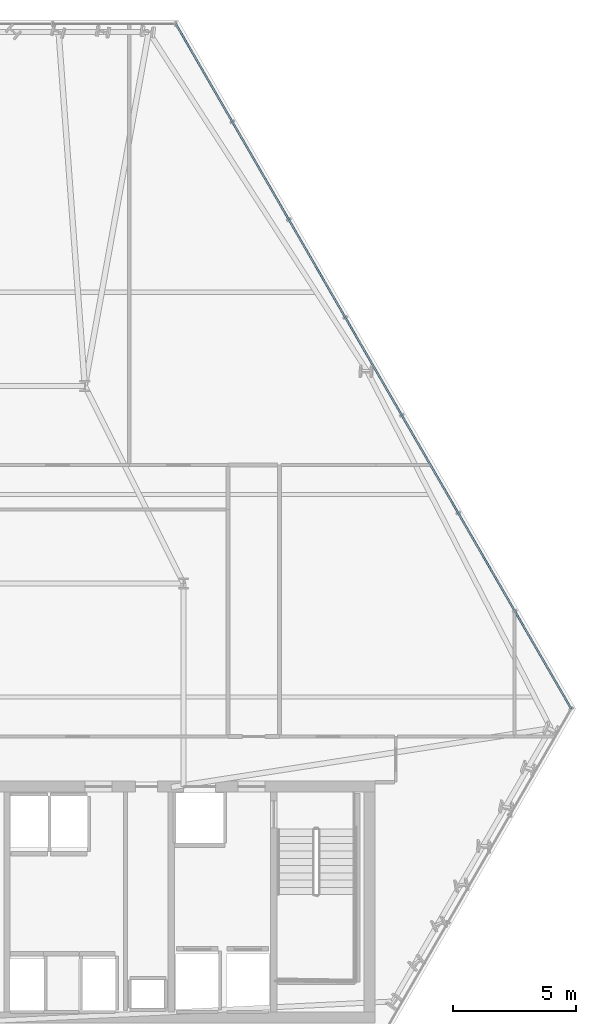
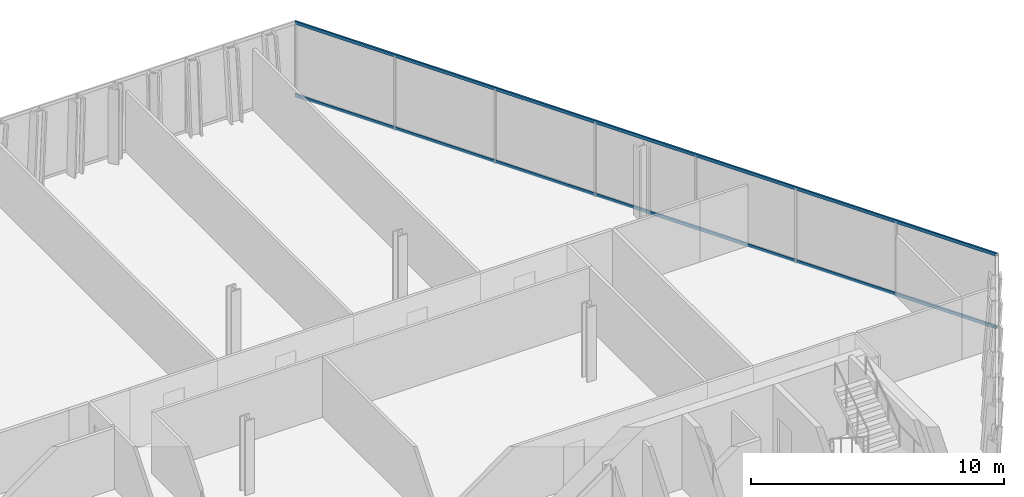
# One storey, part 20 of 32: 2 members, 1 element without a shape of its own.
"""IFC4 building model written with IfcOpenShell, lengths in metres."""

from ifc_helpers import new_model, si_unit, direction, frame, origin, origin_2d, place, context, subcontext, project, spatial, hollow_rectangle, extrude, material, layer, layer_set, material_profile, profile_set, type_object, element, aggregate, save


model = new_model("IFC4")

# Units and contexts
model_context = context("Model", 3, precision=1e-05, world=origin(), true_north=direction((0.0, 1.0)))
body_context = subcontext(model_context, "Body", "Model", "MODEL_VIEW")
ifc_project = project(units=[si_unit("LENGTHUNIT", "METRE"), si_unit("AREAUNIT", "SQUARE_METRE"), si_unit("VOLUMEUNIT", "CUBIC_METRE"), si_unit("PLANEANGLEUNIT", "RADIAN"), si_unit("MASSUNIT", "GRAM", prefix="KILO")], contexts=[model_context])

# Site, building, storey
site_placement = place(None, origin())
site = spatial("IfcSite", under=ifc_project, at=site_placement, CompositionType="ELEMENT")
building_placement = place(site_placement, origin())
building = spatial("IfcBuilding", under=site, at=building_placement, Name="Ndaravel Arena Tower", CompositionType="ELEMENT")
storey_placement = place(building_placement, frame((0.0, 0.0, 77.800048828125)))
storey = spatial("IfcBuildingStorey", under=building, at=storey_placement, Name="L17", CompositionType="ELEMENT", Elevation=77.800048828125)

# Curtain wall, members
ifc_material_1 = material(Name="Aluminium", Category="aluminium")
ifc_layer = layer(ifc_material_1, 0.179931640625)
ifc_layer_set = layer_set([ifc_layer], Name="Aluminium")
curtain_wall_type = type_object("IfcCurtainWallType", Name="CW-SYS-03", PredefinedType="NOTDEFINED", material=ifc_layer_set)
curtain_wall_placement = place(storey_placement, origin())
curtain_wall = element("IfcCurtainWall", 1, at=curtain_wall_placement, inside=storey, type_object=curtain_wall_type, Name="L17 Faceted Crystal Curtain Wall CW-L17-E03", PredefinedType="NOTDEFINED")
ifc_material_2 = material(Name="Aluminium", Category="aluminium")
ifc_material_profile = material_profile(ifc_material_2, hollow_rectangle(XDim=0.074951171875, YDim=0.14990234375, WallThickness=0.00390625, at=origin_2d()), Name="CW TRANSOM 75x150x4")
ifc_profile_set = profile_set([ifc_material_profile], Name="Aluminium")
member_type = type_object("IfcMemberType", Name="MEM-CW-TRN150", PredefinedType="USERDEFINED", material=ifc_profile_set)
member_1_placement = place(storey_placement, frame((65.50146484375, 18.127197265625, 0.0400390625), z_axis=(-0.500004412291, 0.866022856332, 0.0), x_axis=(-0.866022856332, -0.500004412291, 0.0)))
member_1 = element("IfcMember", 2, at=member_1_placement, type_object=member_type, Name="CW-L17-E03 Transom 01", ObjectType="TRANSOM", PredefinedType="USERDEFINED", context=body_context, shape_type="SweptSolid", body=[
    extrude(hollow_rectangle(XDim=0.074951171875, YDim=0.14990234375, WallThickness=0.00390625, at=origin_2d()), origin(), (0.0, 0.0, 1.0), 32.029541015625),
])
member_2_placement = place(storey_placement, frame((65.50146484375, 18.127197265625, 3.5400390625), z_axis=(-0.500004412291, 0.866022856332, 0.0), x_axis=(-0.866022856332, -0.500004412291, 0.0)))
member_2 = element("IfcMember", 3, at=member_2_placement, type_object=member_type, Name="CW-L17-E03 Transom 02", ObjectType="TRANSOM", PredefinedType="USERDEFINED", context=body_context, shape_type="SweptSolid", body=[
    extrude(hollow_rectangle(XDim=0.074951171875, YDim=0.14990234375, WallThickness=0.00390625, at=origin_2d()), origin(), (0.0, 0.0, 1.0), 32.029541015625),
])
aggregate(curtain_wall, [member_1, member_2])

save(model, "model.ifc")
